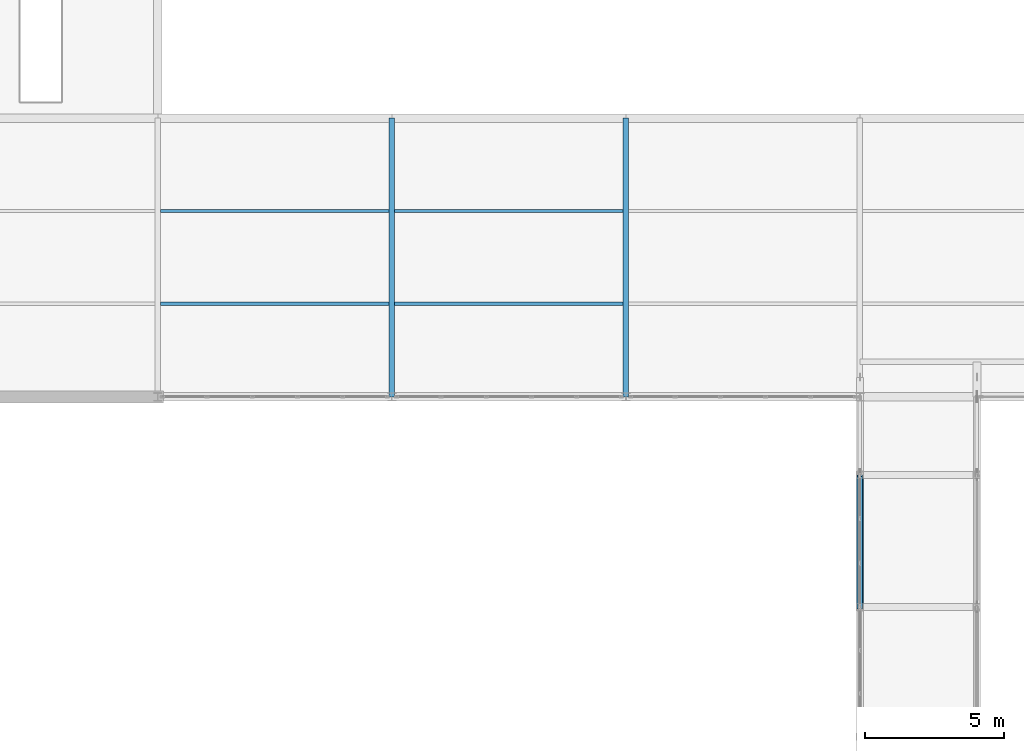
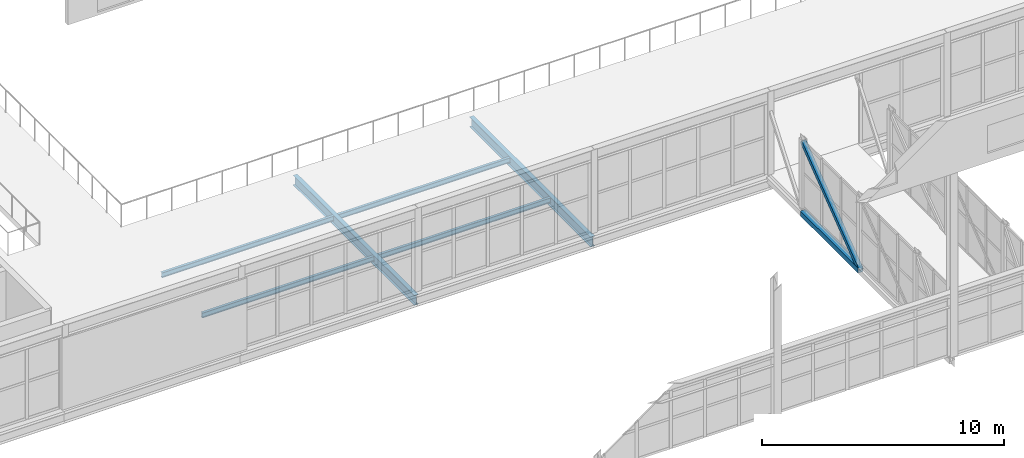
# One storey, part 93 of 218: 6 beams, 2 members.
"""IFC4 building model written with IfcOpenShell, lengths in metres."""

from ifc_helpers import new_model, si_unit, direction, frame, origin, origin_2d, place, context, subcontext, project, spatial, hollow_rectangle, i_section, extrude, material, material_profile, profile_set, type_object, element, save


model = new_model("IFC4")

# Units and contexts
model_context = context("Model", 3, precision=1e-05, world=origin(), true_north=direction((0.0, 1.0)))
body_context = subcontext(model_context, "Body", "Model", "MODEL_VIEW")
ifc_project = project(units=[si_unit("LENGTHUNIT", "METRE"), si_unit("AREAUNIT", "SQUARE_METRE"), si_unit("VOLUMEUNIT", "CUBIC_METRE"), si_unit("PLANEANGLEUNIT", "RADIAN"), si_unit("MASSUNIT", "GRAM", prefix="KILO")], contexts=[model_context])

# Site, building, storey
site_placement = place(None, origin())
site = spatial("IfcSite", under=ifc_project, at=site_placement, CompositionType="ELEMENT")
building_placement = place(site_placement, origin())
building = spatial("IfcBuilding", under=site, at=building_placement, Name="Kazenagashi Tramway Depot", CompositionType="ELEMENT")
storey_placement = place(building_placement, frame((0.0, 0.0, 6.0)))
storey = spatial("IfcBuildingStorey", under=building, at=storey_placement, Name="L02", CompositionType="ELEMENT", Elevation=6.0)

# Member
ifc_material_1 = material(Name="Steel STKR490", Category="steel")
ifc_material_profile_1 = material_profile(ifc_material_1, hollow_rectangle(XDim=0.2, YDim=0.2, WallThickness=0.009, at=origin_2d()), Name="SHS-200x200x9")
ifc_profile_set_1 = profile_set([ifc_material_profile_1], Name="Steel STKR490")
member_type_1 = type_object("IfcMemberType", Name="BR-01", PredefinedType="BRACE", material=ifc_profile_set_1)
member_1_placement = place(storey_placement, frame((86.8, 62.45, -0.305), z_axis=(0.0, 0.79575848843, 0.605614091721), x_axis=(-1.0, 0.0, 0.0)))
element("IfcMember", 1, at=member_1_placement, inside=storey, type_object=member_type_1, Name="Link Bridge Truss BR-01 MEM-1568", PredefinedType="BRACE", context=body_context, shape_type="SweptSolid", body=[
    extrude(hollow_rectangle(XDim=0.2, YDim=0.2, WallThickness=0.009, at=origin_2d()), origin(), (0.0, 0.0, 1.0), 5.969148),
])

# Beams
ifc_material_2 = material(Name="Steel SN490B", Category="steel")
ifc_material_profile_2 = material_profile(ifc_material_2, i_section(OverallWidth=0.2, OverallDepth=0.5, WebThickness=0.01, FlangeThickness=0.016, at=origin_2d()), Name="H-500x200x10x16")
ifc_profile_set_2 = profile_set([ifc_material_profile_2], Name="Steel SN490B")
beam_type_1 = type_object("IfcBeamType", Name="G-05", PredefinedType="BEAM", material=ifc_profile_set_2)
for number, where, z_axis, x_axis, name in (
    (2, (70.0, 70.0, -0.515), (0.0, 1.0, 0.0), (-1.0, 0.0, 0.0), "Beam G-05 BM-1745"),
    (3, (78.4, 70.0, -0.515), (0.0, 1.0, 0.0), (-1.0, 0.0, 0.0), "Beam G-05 BM-1748"),
):
    element("IfcBeam", number, at=place(storey_placement, frame(where, z_axis=z_axis, x_axis=x_axis)), inside=storey, type_object=beam_type_1, Name=name, PredefinedType="BEAM", context=body_context, shape_type="SweptSolid", body=[
        extrude(i_section(OverallWidth=0.2, OverallDepth=0.5, WebThickness=0.01, FlangeThickness=0.016, at=origin_2d()), origin(), (0.0, 0.0, 1.0), 10.0),
    ])
ifc_material_3 = material(Name="Steel SN400B", Category="steel")
ifc_material_profile_3 = material_profile(ifc_material_3, i_section(OverallWidth=0.125, OverallDepth=0.25, WebThickness=0.006, FlangeThickness=0.009, at=origin_2d()), Name="H-250x125x6x9")
ifc_profile_set_3 = profile_set([ifc_material_profile_3], Name="Steel SN400B")
beam_type_2 = type_object("IfcBeamType", Name="J-03", PredefinedType="JOIST", material=ifc_profile_set_3)
for number, where, z_axis, x_axis, name in (
    (4, (61.7, 73.333, -0.39), (1.0, 0.0, 0.0), (0.0, 1.0, 0.0), "Beam J-03 BM-1743"),
    (5, (61.7, 76.667, -0.39), (1.0, 0.0, 0.0), (0.0, 1.0, 0.0), "Beam J-03 BM-1744"),
    (6, (70.1, 73.333, -0.39), (1.0, 0.0, 0.0), (0.0, 1.0, 0.0), "Beam J-03 BM-1746"),
    (7, (70.1, 76.667, -0.39), (1.0, 0.0, 0.0), (0.0, 1.0, 0.0), "Beam J-03 BM-1747"),
):
    element("IfcBeam", number, at=place(storey_placement, frame(where, z_axis=z_axis, x_axis=x_axis)), inside=storey, type_object=beam_type_2, Name=name, PredefinedType="JOIST", context=body_context, shape_type="SweptSolid", body=[
        extrude(i_section(OverallWidth=0.125, OverallDepth=0.25, WebThickness=0.006, FlangeThickness=0.009, at=origin_2d()), origin(), (0.0, 0.0, 1.0), 8.2),
    ])

# Member
ifc_material_4 = material(Name="Weathering Steel SMA490W", Category="steel")
ifc_material_profile_4 = material_profile(ifc_material_4, hollow_rectangle(XDim=0.25, YDim=0.25, WallThickness=0.009, at=origin_2d()), Name="SHS-250x250x9")
ifc_profile_set_4 = profile_set([ifc_material_profile_4], Name="Weathering Steel SMA490W")
member_type_2 = type_object("IfcMemberType", Name="TC-04", PredefinedType="CHORD", material=ifc_profile_set_4)
member_2_placement = place(storey_placement, frame((86.8, 62.45, -0.305), z_axis=(0.0, 1.0, 0.0), x_axis=(-1.0, 0.0, 0.0)))
element("IfcMember", 8, at=member_2_placement, inside=storey, type_object=member_type_2, Name="Link Bridge Truss TC-04 MEM-1566", PredefinedType="CHORD", context=body_context, shape_type="SweptSolid", body=[
    extrude(hollow_rectangle(XDim=0.25, YDim=0.25, WallThickness=0.009, at=origin_2d()), origin(), (0.0, 0.0, 1.0), 4.75),
])

save(model, "model.ifc")
